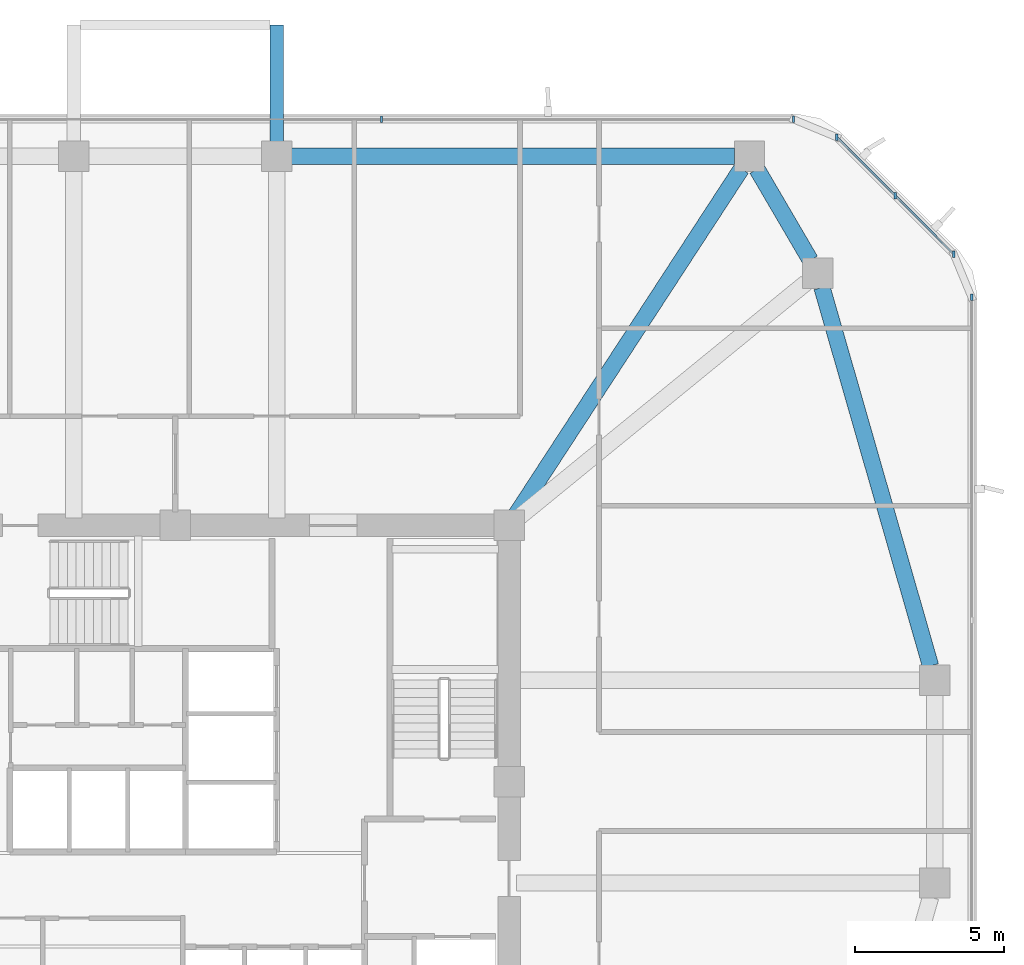
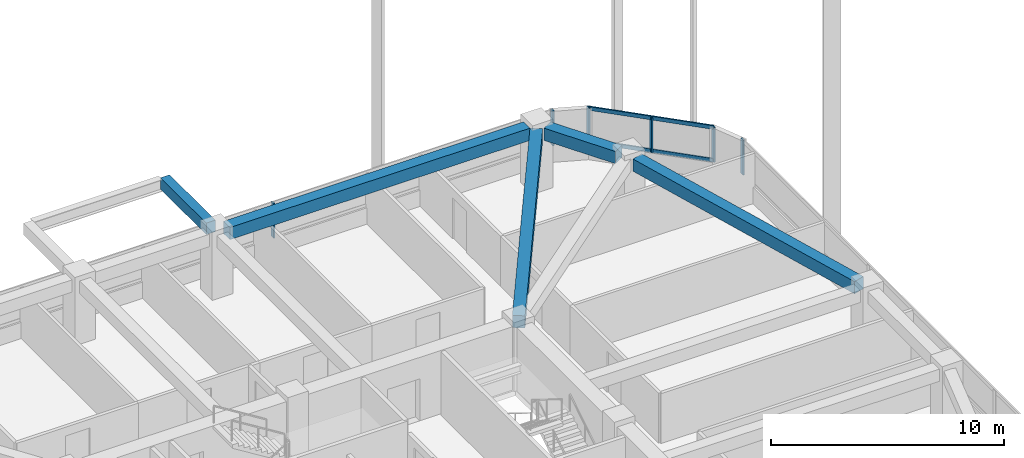
# One storey, part 6 of 15: 8 members, 5 beams, 3 elements without a shape of their own.
"""IFC4 building model written with IfcOpenShell, lengths in metres."""

from ifc_helpers import new_model, si_unit, derived_unit, direction, frame, origin, origin_2d, place, context, subcontext, project, spatial, rectangle, extrude, material, material_profile, profile_set, type_object, element, aggregate, save


model = new_model("IFC4")

# Units and contexts
model_context = context("Model", 3, precision=1e-05, world=origin(), true_north=direction((0.0, 1.0)))
body_context = subcontext(model_context, "Body", "Model", "MODEL_VIEW")
ifc_project = project(units=[si_unit("LENGTHUNIT", "METRE"), si_unit("AREAUNIT", "SQUARE_METRE"), si_unit("VOLUMEUNIT", "CUBIC_METRE"), si_unit("PLANEANGLEUNIT", "RADIAN"), si_unit("MASSUNIT", "GRAM", prefix="KILO"), derived_unit("THERMALTRANSMITTANCEUNIT", [(si_unit("POWERUNIT", "WATT"), 1), (si_unit("LENGTHUNIT", "METRE"), -2), (si_unit("THERMODYNAMICTEMPERATUREUNIT", "KELVIN"), -1)])], contexts=[model_context])

# Site, building, storey
site_placement = place(None, origin())
site = spatial("IfcSite", under=ifc_project, at=site_placement, CompositionType="ELEMENT")
building_placement = place(site_placement, origin())
building = spatial("IfcBuilding", under=site, at=building_placement, Name="Koralith Skygarden Medical Center", CompositionType="ELEMENT")
storey_placement = place(building_placement, frame((0.0, 0.0, 84.780029296875)))
storey = spatial("IfcBuildingStorey", under=building, at=storey_placement, Name="L21", CompositionType="ELEMENT", Elevation=84.780029296875)

# Curtain wall, member
ifc_material_1 = material(Name="Clear Laminated Glass", Category="glass")
curtain_wall_type = type_object("IfcCurtainWallType", Name="CW-3 Zone 2 Faceted Solar Curtain Wall", PredefinedType="NOTDEFINED", material=ifc_material_1)
curtain_wall_1_placement = place(storey_placement, origin())
curtain_wall_1 = element("IfcCurtainWall", 1, at=curtain_wall_1_placement, inside=storey, type_object=curtain_wall_type, Name="Curtain Wall CW-L21-E", PredefinedType="NOTDEFINED")
ifc_material_2 = material(Name="Aluminium 6063-T6", Category="aluminium")
ifc_material_profile_1 = material_profile(ifc_material_2, rectangle(XDim=0.073974609375, YDim=0.219970703125, at=origin_2d()), Name="MUL74X220")
ifc_profile_set_1 = profile_set([ifc_material_profile_1], Name="Aluminium 6063-T6")
member_type_1 = type_object("IfcMemberType", Name="CW-3 Extruded Mullion 74x220", PredefinedType="MULLION", material=ifc_profile_set_1)
member_1_placement = place(storey_placement, frame((63.719970703125, 42.14501953125, 0.849853515625), z_axis=(0.0, 0.0, 1.0), x_axis=(1.0, 0.0, 0.0)))
member_1 = element("IfcMember", 2, at=member_1_placement, type_object=member_type_1, Name="CW-L21-E Mullion 4", PredefinedType="MULLION", context=body_context, shape_type="SweptSolid", body=[
    extrude(rectangle(XDim=0.073974609375, YDim=0.219970703125, at=origin_2d()), origin(), (0.0, 0.0, 1.0), 1.820068359375),
])
aggregate(curtain_wall_1, [member_1])

# Curtain wall, members
curtain_wall_2_placement = place(storey_placement, origin())
curtain_wall_2 = element("IfcCurtainWall", 3, at=curtain_wall_2_placement, inside=storey, type_object=curtain_wall_type, Name="Curtain Wall CW-L21-NE", PredefinedType="NOTDEFINED")
member_2_placement = place(storey_placement, frame((63.118896484375, 43.595947265625, 0.849853515625), z_axis=(0.0, 0.0, 1.0), x_axis=(1.0, 0.0, 0.0)))
member_2 = element("IfcMember", 4, at=member_2_placement, type_object=member_type_1, Name="CW-L21-NE Mullion 1", PredefinedType="MULLION", context=body_context, shape_type="SweptSolid", body=[
    extrude(rectangle(XDim=0.073974609375, YDim=0.219970703125, at=origin_2d()), origin(), (0.0, 0.0, 1.0), 1.820068359375),
])
member_3_placement = place(storey_placement, frame((61.156982421875, 45.556884765625, 0.849853515625), z_axis=(0.0, 0.0, 1.0), x_axis=(1.0, 0.0, 0.0)))
member_3 = element("IfcMember", 5, at=member_3_placement, type_object=member_type_1, Name="CW-L21-NE Mullion 2", PredefinedType="MULLION", context=body_context, shape_type="SweptSolid", body=[
    extrude(rectangle(XDim=0.073974609375, YDim=0.219970703125, at=origin_2d()), origin(), (0.0, 0.0, 1.0), 1.820068359375),
])
member_4_placement = place(storey_placement, frame((59.196044921875, 47.51904296875, 0.849853515625), z_axis=(0.0, 0.0, 1.0), x_axis=(1.0, 0.0, 0.0)))
member_4 = element("IfcMember", 6, at=member_4_placement, type_object=member_type_1, Name="CW-L21-NE Mullion 3", PredefinedType="MULLION", context=body_context, shape_type="SweptSolid", body=[
    extrude(rectangle(XDim=0.073974609375, YDim=0.219970703125, at=origin_2d()), origin(), (0.0, 0.0, 1.0), 1.820068359375),
])

curtain_wall_3_placement = place(storey_placement, origin())
curtain_wall_3 = element("IfcCurtainWall", 7, at=curtain_wall_3_placement, inside=storey, type_object=curtain_wall_type, Name="Curtain Wall CW-L21-N", PredefinedType="NOTDEFINED")
member_5_placement = place(storey_placement, frame((57.7451171875, 48.1201171875, 0.849853515625), z_axis=(0.0, 0.0, 1.0), x_axis=(1.0, 0.0, 0.0)))
member_5 = element("IfcMember", 8, at=member_5_placement, type_object=member_type_1, Name="CW-L21-N Mullion 1", PredefinedType="MULLION", context=body_context, shape_type="SweptSolid", body=[
    extrude(rectangle(XDim=0.073974609375, YDim=0.219970703125, at=origin_2d()), origin(), (0.0, 0.0, 1.0), 1.820068359375),
])
member_6_placement = place(storey_placement, frame((43.9150390625, 48.1201171875, 0.849853515625), z_axis=(0.0, 0.0, 1.0), x_axis=(1.0, 0.0, 0.0)))
member_6 = element("IfcMember", 9, at=member_6_placement, type_object=member_type_1, Name="CW-L21-N Mullion 2", PredefinedType="MULLION", context=body_context, shape_type="SweptSolid", body=[
    extrude(rectangle(XDim=0.073974609375, YDim=0.219970703125, at=origin_2d()), origin(), (0.0, 0.0, 1.0), 1.820068359375),
])
aggregate(curtain_wall_3, [member_5, member_6])

# Member
ifc_material_profile_2 = material_profile(ifc_material_2, rectangle(XDim=0.069091796875, YDim=0.197998046875, at=origin_2d()), Name="TRN69X198")
ifc_profile_set_2 = profile_set([ifc_material_profile_2], Name="Aluminium 6063-T6")
member_type_2 = type_object("IfcMemberType", Name="CW-3 Thermal Transom 69x198", PredefinedType="USERDEFINED", material=ifc_profile_set_2)
member_7_placement = place(storey_placement, frame((63.118896484375, 43.595947265625, 0.89990234375), z_axis=(-0.707084777957, 0.707128783731, 0.0), x_axis=(-0.707128783731, -0.707084777957, 0.0)))
member_7 = element("IfcMember", 10, at=member_7_placement, type_object=member_type_2, Name="CW-L21-NE Transom 1", ObjectType="TRANSOM", PredefinedType="USERDEFINED", context=body_context, shape_type="SweptSolid", body=[
    extrude(rectangle(XDim=0.069091796875, YDim=0.197998046875, at=origin_2d()), origin(), (0.0, 0.0, 1.0), 5.5478515625),
])

member_8_placement = place(storey_placement, frame((63.118896484375, 43.595947265625, 2.619873046875), z_axis=(-0.707084777957, 0.707128783731, 0.0), x_axis=(-0.707128783731, -0.707084777957, 0.0)))
member_8 = element("IfcMember", 11, at=member_8_placement, type_object=member_type_2, Name="CW-L21-NE Transom 2", ObjectType="TRANSOM", PredefinedType="USERDEFINED", context=body_context, shape_type="SweptSolid", body=[
    extrude(rectangle(XDim=0.069091796875, YDim=0.197998046875, at=origin_2d()), origin(), (0.0, 0.0, 1.0), 5.5478515625),
])

aggregate(curtain_wall_2, [member_2, member_3, member_4, member_7, member_8])

# Beams
ifc_material_3 = material(Name="Concrete C45/55", Category="concrete")
ifc_material_profile_3 = material_profile(ifc_material_3, rectangle(XDim=0.449951171875, YDim=0.60009765625, at=origin_2d()), Name="RCB450X600")
ifc_profile_set_3 = profile_set([ifc_material_profile_3], Name="Concrete C45/55")
beam_type_1 = type_object("IfcBeamType", Name="Planted Balcony Cantilever Beam RCB450X600", PredefinedType="BEAM", material=ifc_profile_set_3)
beam_1_placement = place(storey_placement, frame((40.39990234375, 47.3701171875, 3.0400390625), z_axis=(0.0, 1.0, 0.0), x_axis=(-1.0, 0.0, 0.0)))
element("IfcBeam", 12, at=beam_1_placement, inside=storey, type_object=beam_type_1, Name="L22 N Balcony Cantilever Beam B", PredefinedType="BEAM", context=body_context, shape_type="SweptSolid", body=[
    extrude(rectangle(XDim=0.449951171875, YDim=0.60009765625, at=origin_2d()), origin(), (0.0, 0.0, 1.0), 3.919921875),
])
ifc_material_profile_4 = material_profile(ifc_material_3, rectangle(XDim=0.550048828125, YDim=0.639892578125, at=origin_2d()), Name="RCB550X640")
ifc_profile_set_4 = profile_set([ifc_material_profile_4], Name="Concrete C45/55")
beam_type_2 = type_object("IfcBeamType", Name="Radial Collector Beam RCB550X640", PredefinedType="BEAM", material=ifc_profile_set_4)
beam_2_placement = place(storey_placement, frame((48.3359375, 34.708984375, 3.0), z_axis=(0.546010797592, 0.83777813824, 0.0), x_axis=(-0.83777813824, 0.546010797592, 0.0)))
element("IfcBeam", 13, at=beam_2_placement, inside=storey, type_object=beam_type_2, Name="L21 Radial Collector Beam RB-11", PredefinedType="BEAM", context=body_context, shape_type="SweptSolid", body=[
    extrude(rectangle(XDim=0.550048828125, YDim=0.639892578125, at=origin_2d()), origin(), (0.0, 0.0, 1.0), 14.027587890625),
])
ifc_material_profile_5 = material_profile(ifc_material_3, rectangle(XDim=0.550048828125, YDim=0.639892578125, at=origin_2d()), Name="RCB550X640")
ifc_profile_set_5 = profile_set([ifc_material_profile_5], Name="Concrete C45/55")
beam_type_3 = type_object("IfcBeamType", Name="Zone 2-3 Spandrel Beam RCB550X640", PredefinedType="SPANDREL", material=ifc_profile_set_5)
beam_3_placement = place(storey_placement, frame((62.342041015625, 29.781005859375, 3.0), z_axis=(-0.275843733572, 0.961202494092, 0.0), x_axis=(-0.961202494092, -0.275843733572, 0.0)))
element("IfcBeam", 14, at=beam_3_placement, inside=storey, type_object=beam_type_3, Name="L21 Perimeter Spandrel Beam SP-09", PredefinedType="SPANDREL", context=body_context, shape_type="SweptSolid", body=[
    extrude(rectangle(XDim=0.550048828125, YDim=0.639892578125, at=origin_2d()), origin(), (0.0, 0.0, 1.0), 13.21044921875),
])
beam_4_placement = place(storey_placement, frame((58.30810546875, 43.39208984375, 3.0), z_axis=(-0.50502386975, 0.863105376523, 0.0), x_axis=(-0.863105376523, -0.50502386975, 0.0)))
element("IfcBeam", 15, at=beam_4_placement, inside=storey, type_object=beam_type_3, Name="L21 Perimeter Spandrel Beam SP-10", PredefinedType="SPANDREL", context=body_context, shape_type="SweptSolid", body=[
    extrude(rectangle(XDim=0.550048828125, YDim=0.639892578125, at=origin_2d()), origin(), (0.0, 0.0, 1.0), 3.54052734375),
])
beam_5_placement = place(storey_placement, frame((55.76806640625, 46.8798828125, 3.0), z_axis=(-1.0, 0.0, 0.0), x_axis=(0.0, -1.0, 0.0)))
element("IfcBeam", 16, at=beam_5_placement, inside=storey, type_object=beam_type_3, Name="L21 Perimeter Spandrel Beam SP-11", PredefinedType="SPANDREL", context=body_context, shape_type="SweptSolid", body=[
    extrude(rectangle(XDim=0.550048828125, YDim=0.639892578125, at=origin_2d()), origin(), (0.0, 0.0, 1.0), 14.8681640625),
])

save(model, "model.ifc")
